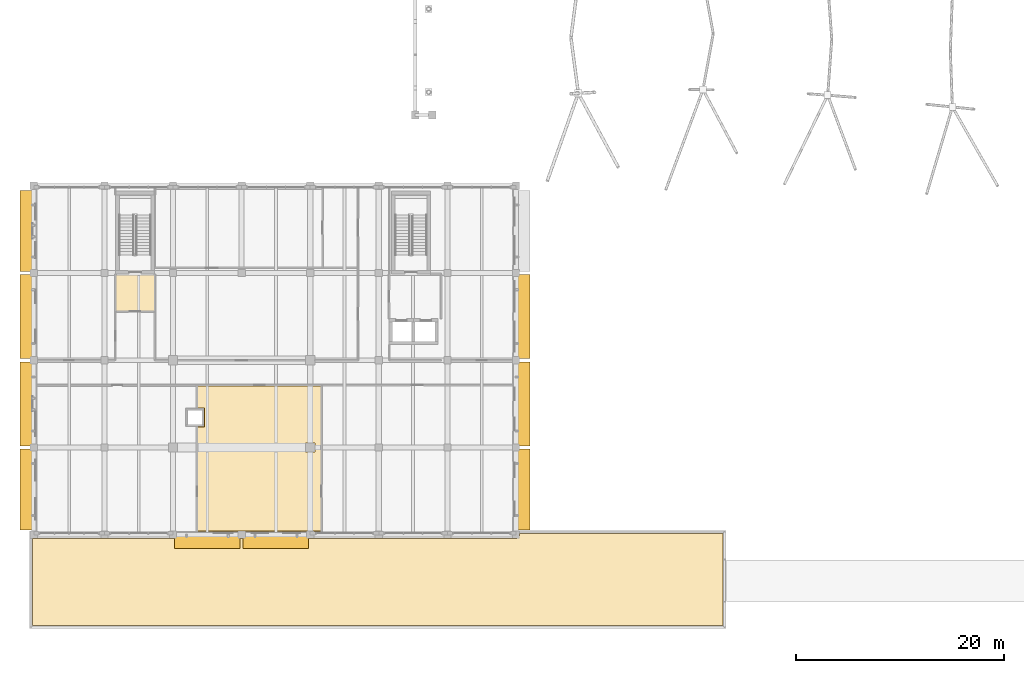
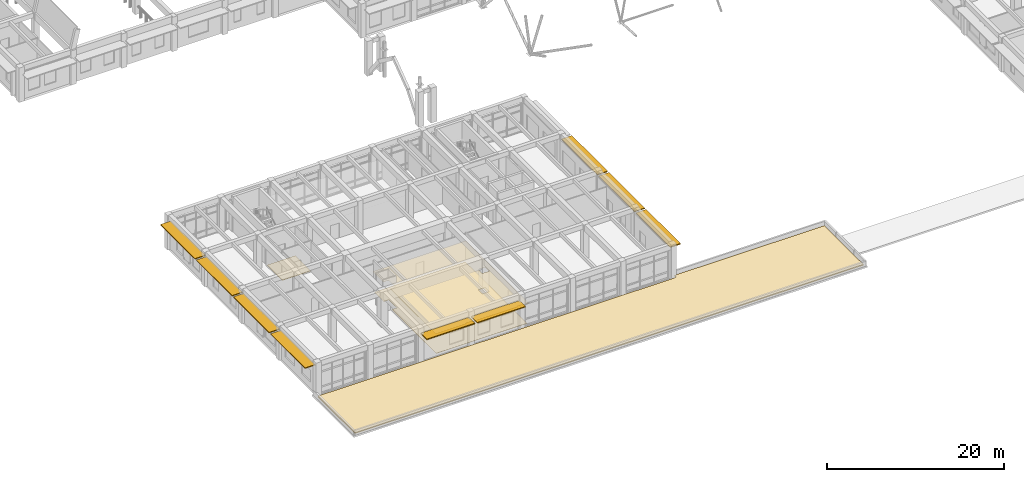
# One storey, part 64 of 75: 9 shading devices, 4 coverings.
"""IFC4 building model written with IfcOpenShell, lengths in metres."""

from ifc_helpers import new_model, si_unit, direction, frame, origin, origin_2d, place, context, subcontext, project, spatial, polyline, rectangle, outline, extrude, material, layer, layer_set, type_object, element, save


model = new_model("IFC4")

# Units and contexts
model_context = context("Model", 3, precision=1e-05, world=origin(), true_north=direction((0.0, 1.0)))
body_context = subcontext(model_context, "Body", "Model", "MODEL_VIEW")
ifc_project = project(units=[si_unit("LENGTHUNIT", "METRE"), si_unit("AREAUNIT", "SQUARE_METRE"), si_unit("VOLUMEUNIT", "CUBIC_METRE"), si_unit("PLANEANGLEUNIT", "RADIAN"), si_unit("MASSUNIT", "GRAM", prefix="KILO")], contexts=[model_context])

# Site, building, storey
site_placement = place(None, origin())
site = spatial("IfcSite", under=ifc_project, at=site_placement, CompositionType="ELEMENT")
building_placement = place(site_placement, origin())
building = spatial("IfcBuilding", under=site, at=building_placement, Name="Kolvaren Faculty of Natural Sciences", CompositionType="ELEMENT")
storey_placement = place(building_placement, frame((0.0, 0.0, 5.39990234375)))
storey = spatial("IfcBuildingStorey", under=building, at=storey_placement, Name="L01", CompositionType="ELEMENT", Elevation=5.39990234375)

# Covering
ifc_material_1 = material(Name="Perforated mineral-fibre acoustic suspended ceiling tile")
ifc_layer_1 = layer(ifc_material_1, 0.02490234375)
ifc_layer_set_1 = layer_set([ifc_layer_1], Name="Perforated mineral-fibre acoustic suspended ceiling tile")
covering_type_1 = type_object("IfcCoveringType", Name="AcousticSuspendedCeiling_25", PredefinedType="CEILING", material=ifc_layer_set_1)
covering_1_placement = place(storey_placement, frame((0.0, 0.0, 2.8251953125)))
element("IfcCovering", 1, at=covering_1_placement, inside=storey, type_object=covering_type_1, Name="L01 L01 Preparation and Balance Room acoustic ceiling", PredefinedType="CEILING", context=body_context, shape_type="SweptSolid", body=[
    extrude(outline(polyline([(26.949951171875, 8.840087890625), (26.949951171875, 8.949951171875), (26.25, 8.949951171875), (26.25, 8.840087890625), (20.35009765625, 8.840087890625), (20.35009765625, 8.949951171875), (19.64990234375, 8.949951171875), (19.64990234375, 8.840087890625), (15.6201171875, 8.840087890625), (15.6201171875, 19.1201171875), (16.280029296875, 19.1201171875), (16.280029296875, 20.679931640625), (15.6201171875, 20.679931640625), (15.6201171875, 23.080078125), (27.780029296875, 23.080078125), (27.780029296875, 8.840087890625), (26.949951171875, 8.840087890625)]), holes=[polyline([(27.050048828125, 17.449951171875), (26.14990234375, 17.449951171875), (26.14990234375, 16.550048828125), (27.050048828125, 16.550048828125), (27.050048828125, 17.449951171875)])]), origin(), (0.0, 0.0, 1.0), 0.02490234375),
])

# Shading devices
ifc_material_2 = material(Name="Precast concrete C35/45", Category="concrete")
ifc_layer_2 = layer(ifc_material_2, 0.1201171875)
ifc_layer_set_2 = layer_set([ifc_layer_2], Name="Precast concrete C35/45")
shading_device_type = type_object("IfcShadingDeviceType", Name="ChhajjaSolarHood_1350", PredefinedType="AWNING", material=ifc_layer_set_2)
for number, where, z_axis, x_axis, name in (
    (2, (47.054931640625, 29.60009765625, 3.844970703125), (0.0, 0.0, 1.0), (0.0, -1.0, 0.0), "L01 precast sandstone chhajja solar hood 29"),
    (3, (47.054931640625, 21.199951171875, 3.844970703125), (0.0, 0.0, 1.0), (0.0, -1.0, 0.0), "L01 precast sandstone chhajja solar hood 30"),
):
    element("IfcShadingDevice", number, at=place(storey_placement, frame(where, z_axis=z_axis, x_axis=x_axis)), inside=storey, type_object=shading_device_type, Name=name, PredefinedType="AWNING", context=body_context, shape_type="SweptSolid", body=[
        extrude(rectangle(XDim=8.10009765625, YDim=1.35009765625, at=origin_2d()), origin(), (0.0, 0.0, 1.0), 0.1201171875),
    ])
shading_device_1_placement = place(storey_placement, frame((47.054931640625, 12.9599609375, 3.844970703125), z_axis=(0.0, 0.0, 1.0), x_axis=(0.0, -1.0, 0.0)))
element("IfcShadingDevice", 4, at=shading_device_1_placement, inside=storey, type_object=shading_device_type, Name="L01 precast sandstone chhajja solar hood 31", PredefinedType="AWNING", context=body_context, shape_type="SweptSolid", body=[
    extrude(rectangle(XDim=7.780029296875, YDim=1.35009765625, at=origin_2d()), origin(), (0.0, 0.0, 1.0), 0.1201171875),
])
for number, where, z_axis, x_axis, name in (
    (5, (23.300048828125, 7.945068359375, 3.695068359375), (0.0, 0.0, 1.0), (-1.0, 0.0, 0.0), "L01 precast sandstone chhajja solar hood 32"),
    (6, (16.699951171875, 7.945068359375, 3.695068359375), (0.0, 0.0, 1.0), (-1.0, 0.0, 0.0), "L01 precast sandstone chhajja solar hood 33"),
):
    element("IfcShadingDevice", number, at=place(storey_placement, frame(where, z_axis=z_axis, x_axis=x_axis)), inside=storey, type_object=shading_device_type, Name=name, PredefinedType="AWNING", context=body_context, shape_type="SweptSolid", body=[
        extrude(rectangle(XDim=6.300048828125, YDim=1.35009765625, at=origin_2d()), origin(), (0.0, 0.0, 1.0), 0.1201171875),
    ])
shading_device_2_placement = place(storey_placement, frame((-0.655029296875, 12.9599609375, 3.844970703125), z_axis=(0.0, 0.0, 1.0), x_axis=(0.0, 1.0, 0.0)))
element("IfcShadingDevice", 7, at=shading_device_2_placement, inside=storey, type_object=shading_device_type, Name="L01 precast sandstone chhajja solar hood 34", PredefinedType="AWNING", context=body_context, shape_type="SweptSolid", body=[
    extrude(rectangle(XDim=7.780029296875, YDim=1.35009765625, at=origin_2d()), origin(), (0.0, 0.0, 1.0), 0.1201171875),
])
for number, where, z_axis, x_axis, name in (
    (8, (-0.655029296875, 21.199951171875, 3.844970703125), (0.0, 0.0, 1.0), (0.0, 1.0, 0.0), "L01 precast sandstone chhajja solar hood 35"),
    (9, (-0.655029296875, 29.60009765625, 3.844970703125), (0.0, 0.0, 1.0), (0.0, 1.0, 0.0), "L01 precast sandstone chhajja solar hood 36"),
):
    element("IfcShadingDevice", number, at=place(storey_placement, frame(where, z_axis=z_axis, x_axis=x_axis)), inside=storey, type_object=shading_device_type, Name=name, PredefinedType="AWNING", context=body_context, shape_type="SweptSolid", body=[
        extrude(rectangle(XDim=8.10009765625, YDim=1.35009765625, at=origin_2d()), origin(), (0.0, 0.0, 1.0), 0.1201171875),
    ])
shading_device_3_placement = place(storey_placement, frame((-0.655029296875, 37.840087890625, 3.844970703125), z_axis=(0.0, 0.0, 1.0), x_axis=(0.0, 1.0, 0.0)))
element("IfcShadingDevice", 10, at=shading_device_3_placement, inside=storey, type_object=shading_device_type, Name="L01 precast sandstone chhajja solar hood 37", PredefinedType="AWNING", context=body_context, shape_type="SweptSolid", body=[
    extrude(rectangle(XDim=7.780029296875, YDim=1.35009765625, at=origin_2d()), origin(), (0.0, 0.0, 1.0), 0.1201171875),
])

# Coverings
ifc_material_3 = material(Name="SBS polymer-modified bitumen waterproofing membrane over PIR insulation")
ifc_layer_3 = layer(ifc_material_3, 0.139892578125)
ifc_layer_set_3 = layer_set([ifc_layer_3], Name="SBS polymer-modified bitumen waterproofing membrane over PIR insulation")
covering_type_2 = type_object("IfcCoveringType", Name="InsulatedRoofMembrane_140", PredefinedType="ROOFING", material=ifc_layer_set_3)
covering_2_placement = place(storey_placement, origin())
element("IfcCovering", 11, at=covering_2_placement, inside=storey, type_object=covering_type_2, Name="L01 insulated warm-roof waterproofing membrane 1", PredefinedType="ROOFING", context=body_context, shape_type="SweptSolid", body=[
    extrude(outline(polyline([(-0.110107421875, -0.110107421875), (-0.110107421875, 8.278564453125), (-0.10400390625, 8.2763671875), (-0.102294921875, 8.27587890625), (-0.087158203125, 8.271484375), (-0.085205078125, 8.27099609375), (-0.0537109375, 8.264404296875), (-0.052001953125, 8.263916015625), (-0.01806640625, 8.260498046875), (-0.01611328125, 8.260498046875), (0.0, 8.260009765625), (46.39990234375, 8.260009765625), (46.416015625, 8.260498046875), (46.41796875, 8.260498046875), (46.451904296875, 8.263916015625), (46.453857421875, 8.264404296875), (46.4853515625, 8.27099609375), (46.4873046875, 8.271484375), (46.502197265625, 8.27587890625), (46.504150390625, 8.2763671875), (46.53125, 8.286376953125), (46.557373046875, 8.298583984375), (46.55908203125, 8.299560546875), (46.571533203125, 8.306640625), (46.5732421875, 8.3076171875), (46.59228515625, 8.319580078125), (46.593994140625, 8.32080078125), (46.6171875, 8.33837890625), (46.638916015625, 8.358154296875), (46.641845703125, 8.361083984375), (46.66162109375, 8.3828125), (46.67919921875, 8.406005859375), (46.680419921875, 8.40771484375), (46.6923828125, 8.4267578125), (46.693359375, 8.428466796875), (46.700439453125, 8.44091796875), (46.701416015625, 8.442626953125), (46.713623046875, 8.46875), (46.7236328125, 8.495849609375), (46.72412109375, 8.497802734375), (46.728515625, 8.5126953125), (46.72900390625, 8.5146484375), (46.735595703125, 8.546142578125), (46.736083984375, 8.548095703125), (46.739501953125, 8.58203125), (46.739501953125, 8.583984375), (46.739990234375, 8.60009765625), (46.739990234375, 8.7099609375), (66.31005859375, 8.7099609375), (66.31005859375, 6.28271484375), (66.304931640625, 6.258544921875), (66.304443359375, 6.255615234375), (66.30029296875, 6.2138671875), (66.30029296875, 6.2109375), (66.300048828125, 6.199951171875), (66.300048828125, 2.199951171875), (66.300048828125, 2.19873046875), (66.308837890625, -0.110107421875), (-0.110107421875, -0.110107421875)])), origin(), (0.0, 0.0, 1.0), 0.14013671875),
])
ifc_material_4 = material(Name="Polished Uruguayan grey granite terrazzo flooring", Category="masonry")
ifc_layer_4 = layer(ifc_material_4, 0.030029296875)
ifc_layer_set_4 = layer_set([ifc_layer_4], Name="Polished Uruguayan grey granite terrazzo flooring")
covering_type_3 = type_object("IfcCoveringType", Name="TerrazzoFloorFinish_30", PredefinedType="FLOORING", material=ifc_layer_set_4)
covering_3_placement = place(storey_placement, origin())
element("IfcCovering", 12, at=covering_3_placement, inside=storey, type_object=covering_type_3, Name="L01 L01 Protected Stair Lobby ST-8 floor finish", PredefinedType="FLOORING", context=body_context, shape_type="SweptSolid", body=[
    extrude(outline(polyline([(11.590087890625, 33.639892578125), (11.590087890625, 30.159912109375), (7.909912109375, 30.159912109375), (7.909912109375, 33.639892578125), (11.590087890625, 33.639892578125)])), origin(), (0.0, 0.0, 1.0), 0.030029296875),
])
covering_4_placement = place(storey_placement, origin())
element("IfcCovering", 13, at=covering_4_placement, inside=storey, type_object=covering_type_3, Name="L01 L01 Preparation and Balance Room floor finish", PredefinedType="FLOORING", context=body_context, shape_type="SweptSolid", body=[
    extrude(outline(polyline([(27.639892578125, 8.97998046875), (15.760009765625, 8.97998046875), (15.760009765625, 18.97998046875), (16.360107421875, 18.97998046875), (16.365966796875, 18.980224609375), (16.37158203125, 18.981201171875), (16.37744140625, 18.982666015625), (16.383056640625, 18.984619140625), (16.38818359375, 18.987060546875), (16.393310546875, 18.989990234375), (16.398193359375, 18.99365234375), (16.40234375, 18.99755859375), (16.406494140625, 19.001953125), (16.409912109375, 19.006591796875), (16.412841796875, 19.01171875), (16.415283203125, 19.01708984375), (16.41748046875, 19.022705078125), (16.418701171875, 19.0283203125), (16.419677734375, 19.0341796875), (16.419921875, 19.0400390625), (16.419921875, 20.760009765625), (16.419677734375, 20.765869140625), (16.418701171875, 20.771728515625), (16.41748046875, 20.77734375), (16.415283203125, 20.782958984375), (16.412841796875, 20.788330078125), (16.409912109375, 20.793212890625), (16.406494140625, 20.798095703125), (16.40234375, 20.802490234375), (16.398193359375, 20.806396484375), (16.393310546875, 20.809814453125), (16.38818359375, 20.81298828125), (16.383056640625, 20.8154296875), (16.37744140625, 20.8173828125), (16.37158203125, 20.81884765625), (16.365966796875, 20.819580078125), (16.360107421875, 20.820068359375), (15.760009765625, 20.820068359375), (15.760009765625, 22.93994140625), (27.639892578125, 22.93994140625), (27.639892578125, 8.97998046875)]), holes=[polyline([(27.050048828125, 17.449951171875), (26.14990234375, 17.449951171875), (26.14990234375, 16.550048828125), (27.050048828125, 16.550048828125), (27.050048828125, 17.449951171875)])]), origin(), (0.0, 0.0, 1.0), 0.030029296875),
])

save(model, "model.ifc")
